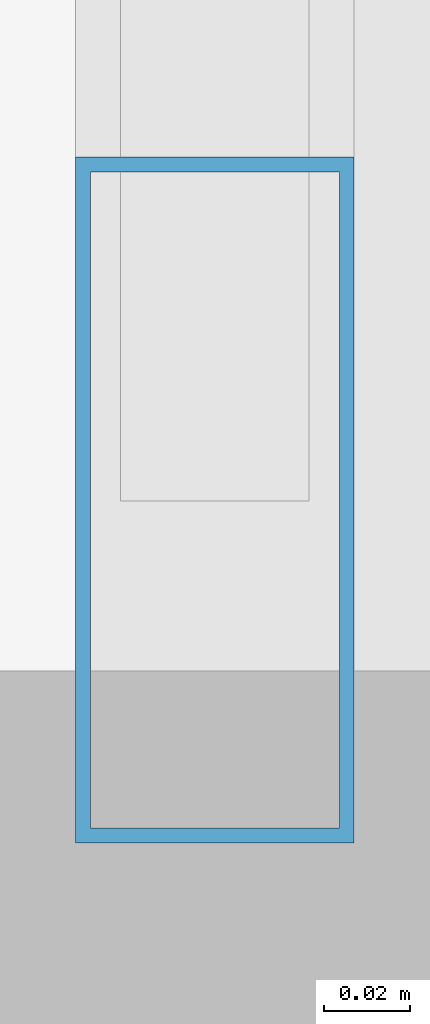
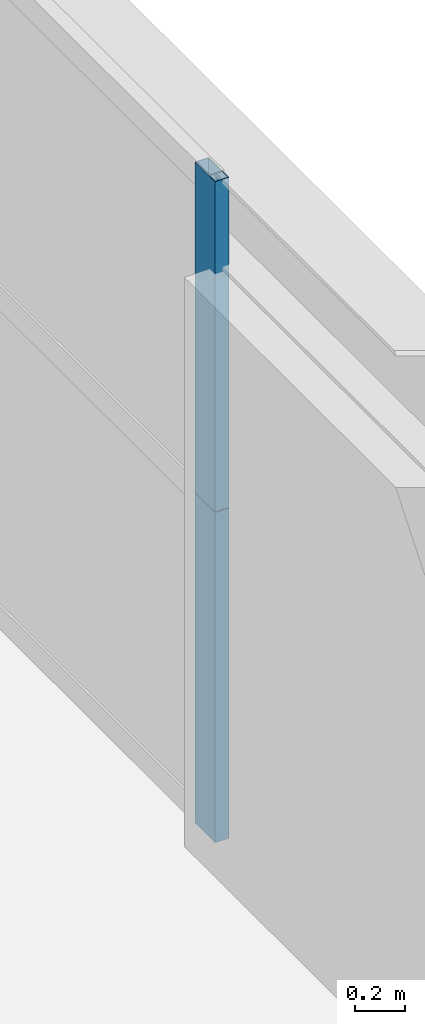
# One storey, part 16 of 36: 2 members, 1 element without a shape of its own.
"""IFC4 building model written with IfcOpenShell, lengths in metres."""

from ifc_helpers import new_model, si_unit, direction, frame, origin, origin_2d, place, context, subcontext, project, spatial, hollow_rectangle, extrude, source, transform, mapped, material, layer, layer_set, material_profile, profile_set, type_object, element, aggregate, save


model = new_model("IFC4")

# Units and contexts
model_context = context("Model", 3, precision=1e-05, world=origin(), true_north=direction((0.0, 1.0)))
body_context = subcontext(model_context, "Body", "Model", "MODEL_VIEW")
ifc_project = project(units=[si_unit("LENGTHUNIT", "METRE"), si_unit("AREAUNIT", "SQUARE_METRE"), si_unit("VOLUMEUNIT", "CUBIC_METRE"), si_unit("PLANEANGLEUNIT", "RADIAN"), si_unit("MASSUNIT", "GRAM", prefix="KILO"), si_unit("THERMODYNAMICTEMPERATUREUNIT", "KELVIN"), si_unit("POWERUNIT", "WATT")], contexts=[model_context])

# Site, building, storey
site_placement = place(None, origin())
site = spatial("IfcSite", under=ifc_project, at=site_placement, CompositionType="ELEMENT")
building_placement = place(site_placement, origin())
building = spatial("IfcBuilding", under=site, at=building_placement, Name="Yuzanri Waterfront Tower", CompositionType="ELEMENT")
storey_placement = place(building_placement, frame((0.0, 0.0, 255.60009765625)))
storey = spatial("IfcBuildingStorey", under=building, at=storey_placement, Name="L68", CompositionType="ELEMENT", Elevation=255.60009765625)

# Curtain wall, members
ifc_material_1 = material(Name="Anodized Architectural Bronze", Category="metal")
ifc_layer = layer(ifc_material_1, 0.159912109375)
ifc_layer_set = layer_set([ifc_layer], Name="Anodized Architectural Bronze")
curtain_wall_type = type_object("IfcCurtainWallType", Name="Anodized Bronze Mid-Rise Residential Acoustic Unitized Curtain Wall 7200", PredefinedType="NOTDEFINED", material=ifc_layer_set)
curtain_wall_placement = place(storey_placement, origin())
curtain_wall = element("IfcCurtainWall", 1, at=curtain_wall_placement, inside=storey, type_object=curtain_wall_type, Name="L68 Curtain Wall CW-L68-EL", PredefinedType="NOTDEFINED")
ifc_material_2 = material(Name="Anodized Architectural Bronze", Category="metal")
ifc_material_profile = material_profile(ifc_material_2, hollow_rectangle(XDim=0.06494140625, YDim=0.159912109375, WallThickness=0.00341796875, at=origin_2d()), Name="CWM 65x160")
ifc_profile_set = profile_set([ifc_material_profile], Name="Anodized Architectural Bronze")
member_type = type_object("IfcMemberType", Name="Anodized Bronze Upper-Zone Curtain-Wall Mullion 65x160", PredefinedType="MULLION", material=ifc_profile_set)
shared_shape_1 = source(origin(), body_context, "Body", "SweptSolid", [
    extrude(hollow_rectangle(XDim=0.06494140625, YDim=0.159912109375, WallThickness=0.00341796875, at=origin_2d()), origin(), (0.0, 0.0, 1.0), 1.597900390625),
])
member_1_placement = place(storey_placement, frame((57.449951171875, 12.590087890625, 0.0), z_axis=(0.0, 0.0, 1.0), x_axis=(1.0, 0.0, 0.0)))
member_1 = element("IfcMember", 2, at=member_1_placement, type_object=member_type, Name="CW-L68-EL Lower Mullion 00", PredefinedType="MULLION", context=body_context, shape_type="MappedRepresentation", body=[
    mapped(shared_shape_1, transform((0.0, 0.0, 0.0), scale=1.0)),
])
shared_shape_2 = source(origin(), body_context, "Body", "SweptSolid", [
    extrude(hollow_rectangle(XDim=0.06494140625, YDim=0.159912109375, WallThickness=0.00341796875, at=origin_2d()), origin(), (0.0, 0.0, 1.0), 1.59814453125),
])
member_2_placement = place(storey_placement, frame((57.449951171875, 12.590087890625, 1.601806640625), z_axis=(0.0, 0.0, 1.0), x_axis=(1.0, 0.0, 0.0)))
member_2 = element("IfcMember", 3, at=member_2_placement, type_object=member_type, Name="CW-L68-EL Upper Mullion 00", PredefinedType="MULLION", context=body_context, shape_type="MappedRepresentation", body=[
    mapped(shared_shape_2, transform((0.0, 0.0, 0.0), scale=1.0)),
])
aggregate(curtain_wall, [member_1, member_2])

save(model, "model.ifc")
